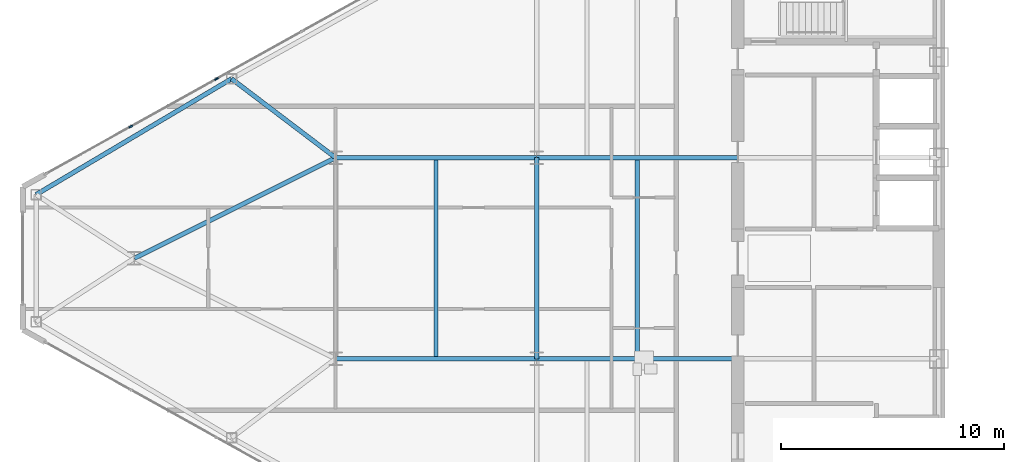
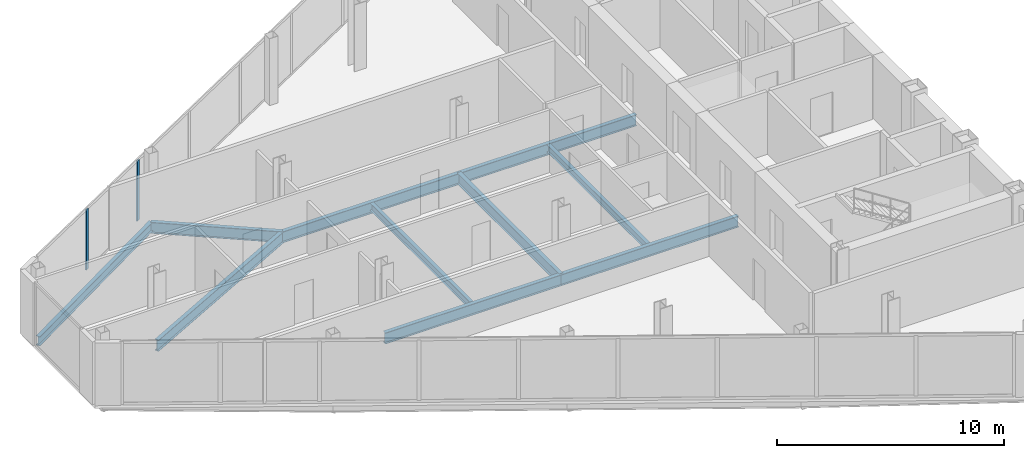
# One storey, part 6 of 25: 10 beams, 2 members, 1 element without a shape of its own.
"""IFC4 building model written with IfcOpenShell, lengths in metres."""

from ifc_helpers import new_model, si_unit, direction, frame, origin, origin_2d, place, context, subcontext, project, spatial, rectangle, i_section, extrude, source, transform, mapped, material, layer, layer_set, material_profile, profile_set, type_object, type_shapes, element, aggregate, save


model = new_model("IFC4")

# Units and contexts
model_context = context("Model", 3, precision=1e-05, world=origin(), true_north=direction((0.0, 1.0)))
body_context = subcontext(model_context, "Body", "Model", "MODEL_VIEW")
ifc_project = project(units=[si_unit("LENGTHUNIT", "METRE"), si_unit("AREAUNIT", "SQUARE_METRE"), si_unit("VOLUMEUNIT", "CUBIC_METRE"), si_unit("PLANEANGLEUNIT", "RADIAN"), si_unit("MASSUNIT", "GRAM", prefix="KILO")], contexts=[model_context])

# Site, building, storey
site_placement = place(None, origin())
site = spatial("IfcSite", under=ifc_project, at=site_placement, CompositionType="ELEMENT")
building_placement = place(site_placement, origin())
building = spatial("IfcBuilding", under=site, at=building_placement, Name="Seokmaru Belvedere", CompositionType="ELEMENT")
storey_placement = place(building_placement, frame((0.0, 0.0, 188.699951171875)))
storey = spatial("IfcBuildingStorey", under=building, at=storey_placement, Name="L50", CompositionType="ELEMENT", Elevation=188.699951171875)

# Beams
ifc_material_1 = material(Name="Steel SM355 (355 MPa)", Category="steel")
ifc_material_profile_1 = material_profile(ifc_material_1, i_section(OverallWidth=0.199951171875, OverallDepth=0.60009765625, WebThickness=0.010986328125, FlangeThickness=0.01708984375, at=origin_2d()), Name="H-600x200x11x17")
ifc_profile_set_1 = profile_set([ifc_material_profile_1], Name="Steel SM355 (355 MPa)")
beam_type_1 = type_object("IfcBeamType", Name="Primary Floor Girder H-600", PredefinedType="BEAM", material=ifc_profile_set_1)
shared_shape_1 = source(origin(), body_context, "Body", "SweptSolid", [
    extrude(i_section(OverallWidth=0.199951171875, OverallDepth=0.60009765625, WebThickness=0.010986328125, FlangeThickness=0.01708984375, at=origin_2d()), origin(), (0.0, 0.0, 1.0), 9.0),
])
for number, where, z_axis, x_axis, name in (
    (1, (-45.5, -4.5, -0.52001953125), (0.0, 1.0, 0.0), (-1.0, 0.0, 0.0), "L50 W Interior Grid Girder 2"),
    (2, (-45.5, -4.5, -0.52001953125), (1.0, 0.0, 0.0), (0.0, 1.0, 0.0), "L50 W Wing Primary Girder 2"),
    (3, (-45.5, 4.5, -0.52001953125), (1.0, 0.0, 0.0), (0.0, 1.0, 0.0), "L50 W Wing Primary Girder 3"),
    (4, (-54.5, -4.5, -0.52001953125), (1.0, 0.0, 0.0), (0.0, 1.0, 0.0), "L50 W Outer Wing Girder 1"),
    (5, (-54.5, 4.5, -0.52001953125), (1.0, 0.0, 0.0), (0.0, 1.0, 0.0), "L50 W Outer Wing Girder 2"),
):
    element("IfcBeam", number, at=place(storey_placement, frame(where, z_axis=z_axis, x_axis=x_axis)), inside=storey, type_object=beam_type_1, Name=name, PredefinedType="BEAM", context=body_context, shape_type="MappedRepresentation", body=[
        mapped(shared_shape_1, transform((0.0, 0.0, 0.0), scale=1.0)),
    ])
shared_shape_2 = source(origin(), body_context, "Body", "SweptSolid", [
    extrude(i_section(OverallWidth=0.199951171875, OverallDepth=0.60009765625, WebThickness=0.010986328125, FlangeThickness=0.01708984375, at=origin_2d()), origin(), (0.0, 0.0, 1.0), 10.062255859375),
])
beam_1_placement = place(storey_placement, frame((-54.5, 4.5, -0.52001953125), z_axis=(-0.894427191, -0.4472135955, 0.0), x_axis=(0.4472135955, -0.894427191, 0.0)))
element("IfcBeam", 6, at=beam_1_placement, inside=storey, type_object=beam_type_1, Name="L50 W Apex Converging Girder 2", PredefinedType="BEAM", context=body_context, shape_type="MappedRepresentation", body=[
    mapped(shared_shape_2, transform((0.0, 0.0, 0.0), scale=1.0)),
])
ifc_material_profile_2 = material_profile(ifc_material_1, i_section(OverallWidth=0.18505859375, OverallDepth=0.389892578125, WebThickness=0.008056640625, FlangeThickness=0.011962890625, at=origin_2d()), Name="H-390x185x8x12")
ifc_profile_set_2 = profile_set([ifc_material_profile_2], Name="Steel SM355 (355 MPa)")
beam_type_2 = type_object("IfcBeamType", Name="Secondary Floor Joist H-350", PredefinedType="JOIST", material=ifc_profile_set_2)
shared_shape_3 = source(origin(), body_context, "Body", "SweptSolid", [
    extrude(i_section(OverallWidth=0.18505859375, OverallDepth=0.389892578125, WebThickness=0.008056640625, FlangeThickness=0.011962890625, at=origin_2d()), origin(), (0.0, 0.0, 1.0), 8.7900390625),
])
type_shapes(beam_type_2, [shared_shape_3])
for number, where, z_axis, x_axis, name in (
    (7, (-41.0, -4.39501953125, -0.4150390625), (0.0, 1.0, 0.0), (-1.0, 0.0, 0.0), "L50 W Secondary Floor Joist 2"),
    (8, (-50.0, -4.39501953125, -0.4150390625), (0.0, 1.0, 0.0), (-1.0, 0.0, 0.0), "L50 W Outer Bay Secondary Joist"),
):
    element("IfcBeam", number, at=place(storey_placement, frame(where, z_axis=z_axis, x_axis=x_axis)), inside=storey, type_object=beam_type_2, Name=name, PredefinedType="JOIST", context=body_context, shape_type="MappedRepresentation", body=[
        mapped(shared_shape_3, transform((0.0, 0.0, 0.0), scale=1.0)),
    ])
ifc_material_profile_3 = material_profile(ifc_material_1, i_section(OverallWidth=0.199951171875, OverallDepth=0.5, WebThickness=0.010009765625, FlangeThickness=0.01611328125, at=origin_2d()), Name="H-500x200x10x16")
ifc_profile_set_3 = profile_set([ifc_material_profile_3], Name="Steel SM355 (355 MPa)")
beam_type_3 = type_object("IfcBeamType", Name="Perimeter Spandrel Beam H-500", PredefinedType="SPANDREL", material=ifc_profile_set_3)
shared_shape_4 = source(origin(), body_context, "Body", "SweptSolid", [
    extrude(i_section(OverallWidth=0.199951171875, OverallDepth=0.5, WebThickness=0.010009765625, FlangeThickness=0.01611328125, at=origin_2d()), origin(), (0.0, 0.0, 1.0), 10.16650390625),
])
type_shapes(beam_type_3, [shared_shape_4])
beam_2_placement = place(storey_placement, frame((-59.154541015625, 8.031494140625, -0.469970703125), z_axis=(-0.860209996506, -0.509939959124, 0.0), x_axis=(0.509939959124, -0.860209996506, 0.0)))
element("IfcBeam", 9, at=beam_2_placement, inside=storey, type_object=beam_type_3, Name="L50 W Faceted Flank Spandrel N-4", PredefinedType="SPANDREL", context=body_context, shape_type="MappedRepresentation", body=[
    mapped(shared_shape_4, transform((0.0, 0.0, 0.0), scale=1.0)),
])
shared_shape_5 = source(origin(), body_context, "Body", "SweptSolid", [
    extrude(i_section(OverallWidth=0.199951171875, OverallDepth=0.60009765625, WebThickness=0.010986328125, FlangeThickness=0.01708984375, at=origin_2d()), origin(), (0.0, 0.0, 1.0), 5.842529296875),
])
type_shapes(beam_type_1, [shared_shape_1, shared_shape_2, shared_shape_5])
beam_3_placement = place(storey_placement, frame((-59.154541015625, 8.031494140625, -0.52001953125), z_axis=(0.796653109879, -0.604436781243, 0.0), x_axis=(0.604436781243, 0.796653109879, 0.0)))
element("IfcBeam", 10, at=beam_3_placement, inside=storey, type_object=beam_type_1, Name="L50 W Flank Radial Floor Girder N-3", PredefinedType="BEAM", context=body_context, shape_type="MappedRepresentation", body=[
    mapped(shared_shape_5, transform((0.0, 0.0, 0.0), scale=1.0)),
])

# Curtain wall, members
ifc_material_2 = material(Name="Bronze Triple Insulating Glass", Category="glass")
ifc_layer = layer(ifc_material_2, 0.179931640625)
ifc_layer_set = layer_set([ifc_layer], Name="Bronze Triple Insulating Glass")
curtain_wall_type = type_object("IfcCurtainWallType", Name="High-Rise Wind-Corner Curtain Wall System CW-5", PredefinedType="NOTDEFINED", material=ifc_layer_set)
curtain_wall_placement = place(storey_placement, origin())
curtain_wall = element("IfcCurtainWall", 11, at=curtain_wall_placement, inside=storey, type_object=curtain_wall_type, Name="L50 Curtain Wall WF3", PredefinedType="NOTDEFINED")
ifc_material_3 = material(Name="Anodised Bronze Aluminium", Category="aluminium")
ifc_material_profile_4 = material_profile(ifc_material_3, rectangle(XDim=0.06494140625, YDim=0.179931640625, at=origin_2d()), Name="CW-M-65x180")
ifc_profile_set_4 = profile_set([ifc_material_profile_4], Name="Anodised Bronze Aluminium")
member_type = type_object("IfcMemberType", Name="Bronze Unitised Mullion 65x180", PredefinedType="MULLION", material=ifc_profile_set_4)
shared_shape_6 = source(origin(), body_context, "Body", "SweptSolid", [
    extrude(rectangle(XDim=0.06494140625, YDim=0.179931640625, at=origin_2d()), origin(), (0.0, 0.0, 1.0), 3.25),
])
type_shapes(member_type, [shared_shape_6])
member_1_placement = place(storey_placement, frame((-59.83056640625, 8.021728515625, 0.06494140625), z_axis=(0.0, 0.0, 1.0), x_axis=(0.486047125147, -0.873932601598, 0.0)))
member_1 = element("IfcMember", 12, at=member_1_placement, type_object=member_type, Name="CW:L50:WF3 Mullion 8", PredefinedType="MULLION", context=body_context, shape_type="MappedRepresentation", body=[
    mapped(shared_shape_6, transform((0.0, 0.0, 0.0), scale=1.0)),
])
member_2_placement = place(storey_placement, frame((-63.662841796875, 5.890380859375, 0.06494140625), z_axis=(0.0, 0.0, 1.0), x_axis=(0.486047125147, -0.873932601598, 0.0)))
member_2 = element("IfcMember", 13, at=member_2_placement, type_object=member_type, Name="CW:L50:WF3 Mullion 9", PredefinedType="MULLION", context=body_context, shape_type="MappedRepresentation", body=[
    mapped(shared_shape_6, transform((0.0, 0.0, 0.0), scale=1.0)),
])
aggregate(curtain_wall, [member_1, member_2])

save(model, "model.ifc")
